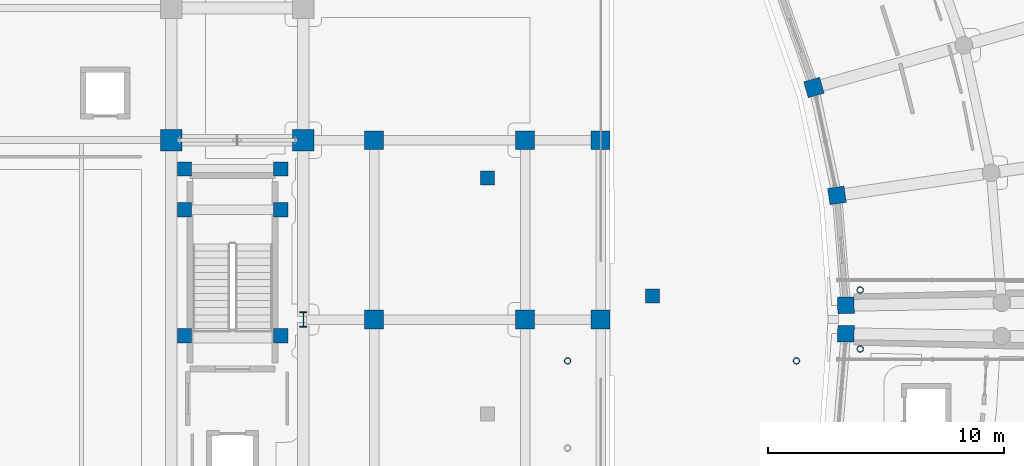
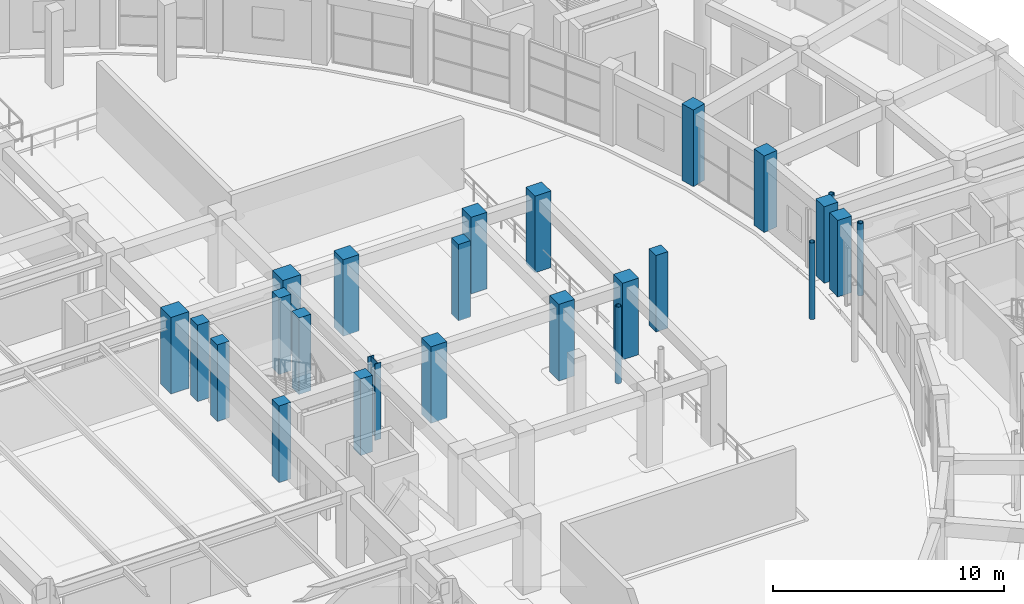
# One storey, part 9 of 87: 25 columns.
"""IFC4 building model written with IfcOpenShell, lengths in metres."""

from ifc_helpers import new_model, si_unit, direction, frame, origin, origin_2d, place, context, subcontext, project, spatial, rectangle, hollow_circle, i_section, extrude, material, material_profile, profile_set, type_object, element, save


model = new_model("IFC4")

# Units and contexts
model_context = context("Model", 3, precision=1e-05, world=origin(), true_north=direction((0.0, 1.0)))
body_context = subcontext(model_context, "Body", "Model", "MODEL_VIEW")
ifc_project = project(units=[si_unit("LENGTHUNIT", "METRE"), si_unit("AREAUNIT", "SQUARE_METRE"), si_unit("VOLUMEUNIT", "CUBIC_METRE"), si_unit("PLANEANGLEUNIT", "RADIAN"), si_unit("MASSUNIT", "GRAM", prefix="KILO")], contexts=[model_context])

# Site, building, storey
site_placement = place(None, origin())
site = spatial("IfcSite", under=ifc_project, at=site_placement, CompositionType="ELEMENT")
building_placement = place(site_placement, origin())
building = spatial("IfcBuilding", under=site, at=building_placement, Name="Saryqyr Civic Hall", CompositionType="ELEMENT")
storey_placement = place(building_placement, frame((0.0, 0.0, 5.10009765625)))
storey = spatial("IfcBuildingStorey", under=building, at=storey_placement, Name="L01", CompositionType="ELEMENT", Elevation=5.10009765625)

# Columns
ifc_material_1 = material(Name="Steel S355", Category="steel")
ifc_material_profile_1 = material_profile(ifc_material_1, hollow_circle(Radius=0.136474609375, WallThickness=0.01611328125, at=origin_2d()), Name="CHS 273x16")
ifc_profile_set_1 = profile_set([ifc_material_profile_1], Name="Steel S355")
column_type_1 = type_object("IfcColumnType", Name="STR-COL-CHS273-S355", PredefinedType="COLUMN", material=ifc_profile_set_1)
for number, where, z_axis, x_axis, name in (
    (1, (93.800048828125, 82.75, 0.0), (0.0, 0.0, 1.0), (1.0, 0.0, 0.0), "Column BRCOL-BR-E-1-L01"),
    (2, (93.800048828125, 85.25, 0.0), (0.0, 0.0, 1.0), (1.0, 0.0, 0.0), "Column BRCOL-BR-E-4-L01"),
):
    element("IfcColumn", number, at=place(storey_placement, frame(where, z_axis=z_axis, x_axis=x_axis)), inside=storey, type_object=column_type_1, Name=name, PredefinedType="COLUMN", context=body_context, shape_type="SweptSolid", body=[
        extrude(hollow_circle(Radius=0.136474609375, WallThickness=0.01611328125, at=origin_2d()), origin(), (0.0, 0.0, 1.0), 3.81982421875),
    ])
for number, where, z_axis, x_axis, name in (
    (3, (91.09765625, 82.25, 0.0), (0.0, 0.0, 1.0), (1.0, 0.0, 0.0), "Column BRCOL-BR-CE-3-L01"),
    (4, (81.39990234375, 82.25, 0.0), (0.0, 0.0, 1.0), (1.0, 0.0, 0.0), "Column BRCOL-BR-CE-4-L01"),
):
    element("IfcColumn", number, at=place(storey_placement, frame(where, z_axis=z_axis, x_axis=x_axis)), inside=storey, type_object=column_type_1, Name=name, PredefinedType="COLUMN", context=body_context, shape_type="SweptSolid", body=[
        extrude(hollow_circle(Radius=0.136474609375, WallThickness=0.01611328125, at=origin_2d()), origin(), (0.0, 0.0, 1.0), 4.0498046875),
    ])
ifc_material_profile_2 = material_profile(ifc_material_1, i_section(OverallWidth=0.300048828125, OverallDepth=0.64990234375, WebThickness=0.01611328125, FlangeThickness=0.031005859375, at=origin_2d()), Name="HEB 650")
ifc_profile_set_2 = profile_set([ifc_material_profile_2], Name="Steel S355")
column_type_2 = type_object("IfcColumnType", Name="STR-COL-HEB650-S355", PredefinedType="COLUMN", material=ifc_profile_set_2)
column_placement = place(storey_placement, frame((70.199951171875, 84.0, 0.0), z_axis=(0.0, 0.0, 1.0), x_axis=(1.0, 0.0, 0.0)))
element("IfcColumn", 5, at=column_placement, inside=storey, type_object=column_type_2, Name="Column V1-GCOL-E-L01", PredefinedType="COLUMN", context=body_context, shape_type="SweptSolid", body=[
    extrude(i_section(OverallWidth=0.300048828125, OverallDepth=0.64990234375, WebThickness=0.01611328125, FlangeThickness=0.031005859375, at=origin_2d()), origin(), (0.0, 0.0, 1.0), 4.0498046875),
])
ifc_material_2 = material(Name="Concrete C40/50", Category="concrete")
ifc_material_profile_3 = material_profile(ifc_material_2, rectangle(XDim=0.60009765625, YDim=0.60009765625, at=origin_2d()), Name="RC 600x600")
ifc_profile_set_3 = profile_set([ifc_material_profile_3], Name="Concrete C40/50")
column_type_3 = type_object("IfcColumnType", Name="STR-COL-RC600-C40", PredefinedType="COLUMN", material=ifc_profile_set_3)
for number, where, z_axis, x_axis, name in (
    (6, (69.239990234375, 83.31494140625, 0.0), (0.0, 0.0, 1.0), (1.0, 0.0, 0.0), "Column ST-2-SCOL-TRMA-L01"),
    (7, (65.159912109375, 83.31494140625, 0.0), (0.0, 0.0, 1.0), (1.0, 0.0, 0.0), "Column ST-2-SCOL-TRMB-L01"),
    (8, (69.239990234375, 88.64990234375, 0.0), (0.0, 0.0, 1.0), (1.0, 0.0, 0.0), "Column ST-2-SCOL-LND1A-L01"),
    (9, (65.159912109375, 88.64990234375, 0.0), (0.0, 0.0, 1.0), (1.0, 0.0, 0.0), "Column ST-2-SCOL-LND1B-L01"),
    (10, (69.239990234375, 90.3798828125, 0.0), (0.0, 0.0, 1.0), (1.0, 0.0, 0.0), "Column ST-2-SCOL-LND2A-L01"),
    (11, (65.159912109375, 90.3798828125, 0.0), (0.0, 0.0, 1.0), (1.0, 0.0, 0.0), "Column ST-2-SCOL-LND2B-L01"),
    (12, (78.0, 90.0, 0.0), (0.0, 0.0, 1.0), (1.0, 0.0, 0.0), "Column V2-XCOL-05-L01"),
    (13, (85.0, 85.0, 0.0), (0.0, 0.0, 1.0), (1.0, 0.0, 0.0), "Column V2-XCOL-06-L01"),
):
    element("IfcColumn", number, at=place(storey_placement, frame(where, z_axis=z_axis, x_axis=x_axis)), inside=storey, type_object=column_type_3, Name=name, PredefinedType="COLUMN", context=body_context, shape_type="SweptSolid", body=[
        extrude(rectangle(XDim=0.60009765625, YDim=0.60009765625, at=origin_2d()), origin(), (0.0, 0.0, 1.0), 4.0498046875),
    ])
ifc_material_profile_4 = material_profile(ifc_material_2, rectangle(XDim=0.699951171875, YDim=0.699951171875, at=origin_2d()), Name="RC 700x700")
ifc_profile_set_4 = profile_set([ifc_material_profile_4], Name="Concrete C40/50")
column_type_4 = type_object("IfcColumnType", Name="STR-COL-RC700-C40", PredefinedType="COLUMN", material=ifc_profile_set_4)
for number, where, z_axis, x_axis, name in (
    (14, (93.195068359375, 83.39990234375, 0.0), (0.0, 0.0, 1.0), (0.999862544538, -0.016579868188, 0.0), "Column V5-COL-IN10-L01"),
    (15, (93.195068359375, 84.60009765625, 0.0), (0.0, 0.0, 1.0), (0.999862544538, 0.016579868188, 0.0), "Column V6-COL-IN00-L01"),
    (16, (92.81591796875, 89.260009765625, 0.0), (0.0, 0.0, 1.0), (0.989399437751, 0.145219670077, 0.0), "Column V6-COL-IN01-L01"),
    (17, (91.839111328125, 93.832275390625, 0.0), (0.0, 0.0, 1.0), (0.962407846499, 0.271608425858, 0.0), "Column V6-COL-IN02-L01"),
):
    element("IfcColumn", number, at=place(storey_placement, frame(where, z_axis=z_axis, x_axis=x_axis)), inside=storey, type_object=column_type_4, Name=name, PredefinedType="COLUMN", context=body_context, shape_type="SweptSolid", body=[
        extrude(rectangle(XDim=0.699951171875, YDim=0.699951171875, at=origin_2d()), origin(), (0.0, 0.0, 1.0), 4.0498046875),
    ])
ifc_material_profile_5 = material_profile(ifc_material_2, rectangle(XDim=0.800048828125, YDim=0.800048828125, at=origin_2d()), Name="RC 800x800")
ifc_profile_set_5 = profile_set([ifc_material_profile_5], Name="Concrete C40/50")
column_type_5 = type_object("IfcColumnType", Name="STR-COL-RC800-C40", PredefinedType="COLUMN", material=ifc_profile_set_5)
for number, where, z_axis, x_axis, name in (
    (18, (73.199951171875, 84.0, 0.0), (0.0, 0.0, 1.0), (1.0, 0.0, 0.0), "Column V1-COL-S3P05-L01"),
    (19, (73.199951171875, 91.60009765625, 0.0), (0.0, 0.0, 1.0), (1.0, 0.0, 0.0), "Column V1-COL-S3P06-L01"),
    (20, (79.60009765625, 84.0, 0.0), (0.0, 0.0, 1.0), (1.0, 0.0, 0.0), "Column V1-COL-S1P05-L01"),
    (21, (79.60009765625, 91.60009765625, 0.0), (0.0, 0.0, 1.0), (1.0, 0.0, 0.0), "Column V1-COL-S1P06-L01"),
    (22, (82.800048828125, 84.0, 0.0), (0.0, 0.0, 1.0), (1.0, 0.0, 0.0), "Column V1-COL-S0P05-L01"),
    (23, (82.800048828125, 91.60009765625, 0.0), (0.0, 0.0, 1.0), (1.0, 0.0, 0.0), "Column V1-COL-S0P06-L01"),
):
    element("IfcColumn", number, at=place(storey_placement, frame(where, z_axis=z_axis, x_axis=x_axis)), inside=storey, type_object=column_type_5, Name=name, PredefinedType="COLUMN", context=body_context, shape_type="SweptSolid", body=[
        extrude(rectangle(XDim=0.800048828125, YDim=0.800048828125, at=origin_2d()), origin(), (0.0, 0.0, 1.0), 4.0498046875),
    ])
ifc_material_profile_6 = material_profile(ifc_material_2, rectangle(XDim=0.89990234375, YDim=0.89990234375, at=origin_2d()), Name="RC 900x900")
ifc_profile_set_6 = profile_set([ifc_material_profile_6], Name="Concrete C40/50")
column_type_6 = type_object("IfcColumnType", Name="STR-COL-RC900-C40", PredefinedType="COLUMN", material=ifc_profile_set_6)
for number, where, z_axis, x_axis, name in (
    (24, (64.60009765625, 91.60009765625, 0.0), (0.0, 0.0, 1.0), (1.0, 0.0, 0.0), "Column V1-COL-C33-L01"),
    (25, (70.199951171875, 91.60009765625, 0.0), (0.0, 0.0, 1.0), (1.0, 0.0, 0.0), "Column V1-COL-C43-L01"),
):
    element("IfcColumn", number, at=place(storey_placement, frame(where, z_axis=z_axis, x_axis=x_axis)), inside=storey, type_object=column_type_6, Name=name, PredefinedType="COLUMN", context=body_context, shape_type="SweptSolid", body=[
        extrude(rectangle(XDim=0.89990234375, YDim=0.89990234375, at=origin_2d()), origin(), (0.0, 0.0, 1.0), 4.0498046875),
    ])

save(model, "model.ifc")
